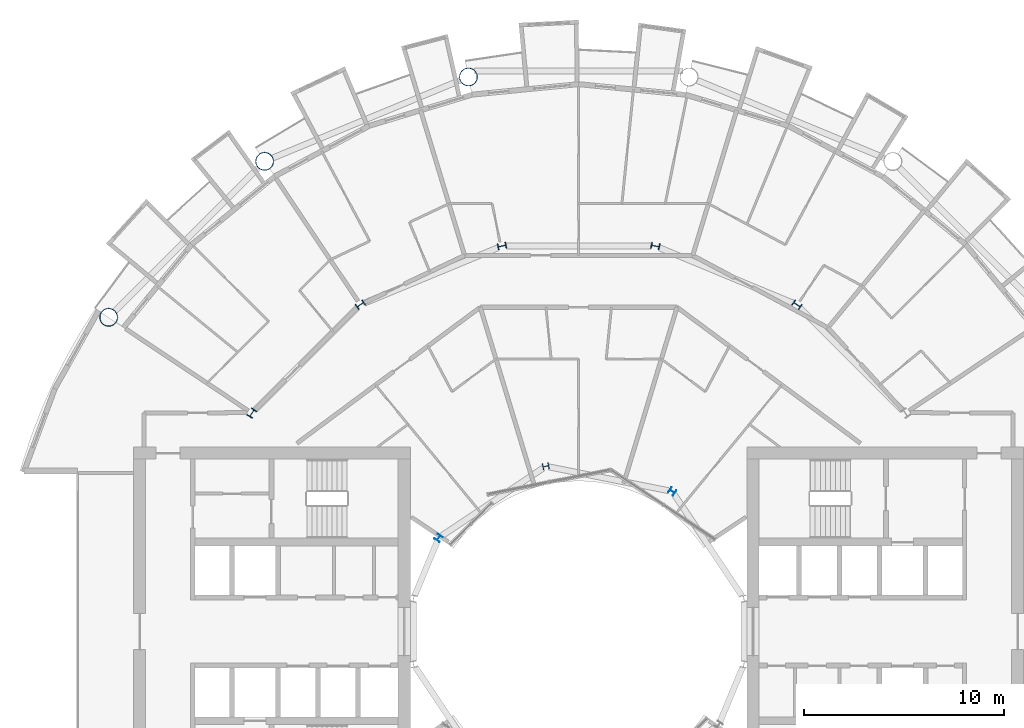
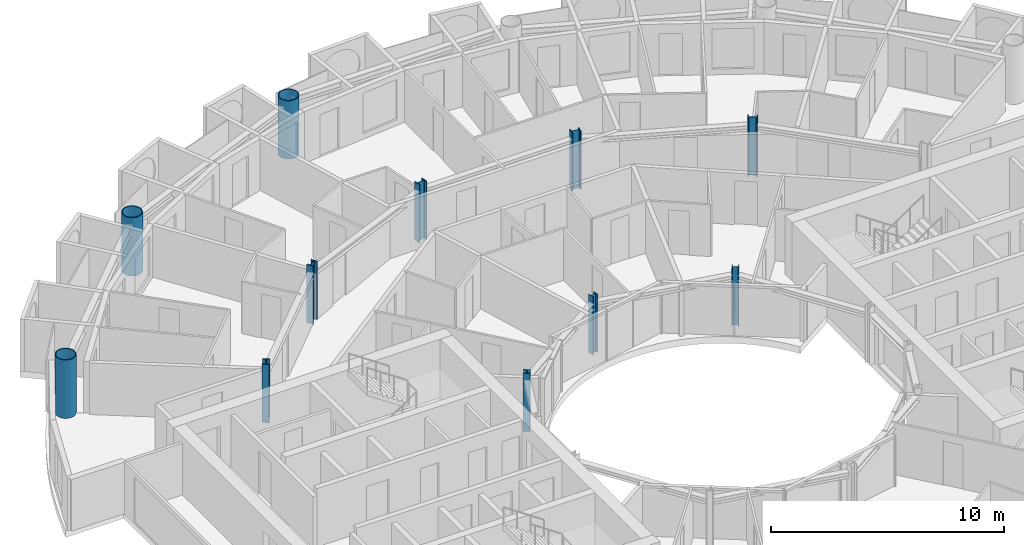
# One storey, part 3 of 27: 11 columns.
"""IFC4 building model written with IfcOpenShell, lengths in metres."""

import ifcopenshell
import ifcopenshell.guid

model = None  # the IFC model being written
_history = None  # IfcOwnerHistory: only IFC2X3 demands one
_inside = {}  # id of a spatial element -> (the spatial element, [elements in it])
_under = {}  # id of a project, library or spatial element -> (it, [spatial elements below it])
_declared = {}  # id of a project -> (the project, [libraries it declares])
_typed = {}  # id of a type object -> (the type object, [elements of that type])
_made_of = {}  # id of a material, layer set ... -> (it, [elements and type objects made of it])


def new_model(schema):
    """Start an empty IFC model of exactly this schema.

    Asked for "IFC4X3", IfcOpenShell would pick the latest addendum, in which some entities
    have other attributes; the version numbers below select the first issue.
    IFC2X3 requires an IfcOwnerHistory on every rooted entity: one is made here for all.
    """
    global model, _history
    if schema == "IFC4X3":
        model = ifcopenshell.file(schema_version=(4, 3, 0, 0))
    else:
        model = ifcopenshell.file(schema=schema)
    _inside.clear()
    _under.clear()
    _declared.clear()
    _typed.clear()
    _made_of.clear()
    _history = None
    if model.schema == "IFC2X3":
        org = make("IfcOrganization", Name="unknown")
        user = make(
            "IfcPersonAndOrganization",
            ThePerson=make("IfcPerson", FamilyName="unknown"),
            TheOrganization=org,
        )
        app = make(
            "IfcApplication",
            ApplicationDeveloper=org,
            Version="unknown",
            ApplicationFullName="unknown",
            ApplicationIdentifier="unknown",
        )
        _history = make(
            "IfcOwnerHistory",
            OwningUser=user,
            OwningApplication=app,
            ChangeAction="ADDED",
            CreationDate=0,
        )
    return model


def make(cls, **values):
    """One entity of the class cls with the attributes given. An attribute that is None is left unset."""
    return model.create_entity(
        cls, **{name: value for name, value in values.items() if value is not None}
    )


def rooted(cls, **values):
    """An entity with a GlobalId (a new one), such as an element, a storey or a relation."""
    return make(cls, GlobalId=ifcopenshell.guid.new(), OwnerHistory=_history, **values)


def si_unit(unit_type, name, prefix=None):
    """IfcSIUnit, for example si_unit("LENGTHUNIT", "METRE", prefix="MILLI")."""
    return make("IfcSIUnit", UnitType=unit_type, Prefix=prefix, Name=name)


def assignment(units):
    """IfcUnitAssignment: the units of a project."""
    return None if units is None else make("IfcUnitAssignment", Units=units)


def point(xyz):
    """IfcCartesianPoint."""
    return None if xyz is None else make("IfcCartesianPoint", Coordinates=xyz)


def direction(xyz):
    """IfcDirection."""
    return None if xyz is None else make("IfcDirection", DirectionRatios=xyz)


def frame(location, z_axis=None, x_axis=None):
    """IfcAxis2Placement3D, a coordinate frame: its origin and axes. An axis left out is left unset."""
    return make(
        "IfcAxis2Placement3D",
        Location=point(location),
        Axis=direction(z_axis),
        RefDirection=direction(x_axis),
    )


def frame_2d(location, x_axis=None):
    """IfcAxis2Placement2D, a coordinate frame in the plane: its origin and x axis."""
    return make(
        "IfcAxis2Placement2D", Location=point(location), RefDirection=direction(x_axis)
    )


def origin():
    """The frame at (0, 0, 0) with its axes left unset."""
    return frame((0.0, 0.0, 0.0))


def origin_2d():
    """The frame at (0, 0) in the plane with its x axis left unset."""
    return frame_2d((0.0, 0.0))


def place(relative_to, where):
    """IfcLocalPlacement: puts the frame where relative to a parent placement (None: the world)."""
    return make(
        "IfcLocalPlacement", PlacementRelTo=relative_to, RelativePlacement=where
    )


def context(
    kind, dimensions, precision=None, world=None, true_north=None, identifier=None
):
    """IfcGeometricRepresentationContext, for example the 3D "Model" context."""
    return make(
        "IfcGeometricRepresentationContext",
        ContextIdentifier=identifier,
        ContextType=kind,
        CoordinateSpaceDimension=dimensions,
        Precision=precision,
        WorldCoordinateSystem=world,
        TrueNorth=true_north,
    )


def subcontext(parent, identifier, kind, view, scale=None):
    """IfcGeometricRepresentationSubContext, for example "Body" below "Model"."""
    return make(
        "IfcGeometricRepresentationSubContext",
        ContextIdentifier=identifier,
        ContextType=kind,
        ParentContext=parent,
        TargetScale=scale,
        TargetView=view,
    )


def project(units=None, contexts=None):
    """IfcProject with its units and contexts."""
    return rooted(
        "IfcProject",
        Name="project",
        RepresentationContexts=contexts,
        UnitsInContext=assignment(units),
    )


def spatial(cls, under=None, at=None, **own):
    """A site, building, storey or space (cls), placed at a placement, below another one or the project."""
    s = rooted(cls, ObjectPlacement=at, **own)
    if under is not None:
        _under.setdefault(under.id(), (under, []))[1].append(s)
    return s


def profile(cls, at=None, kind="AREA", **sizes):
    """A parametric profile (cls). Its sizes go by their IFC names, for example OverallWidth=200.0."""
    return make(cls, ProfileType=kind, Position=at, **sizes)


def hollow_circle(**sizes):
    """IfcCircleHollowProfileDef."""
    return profile("IfcCircleHollowProfileDef", **sizes)


def i_section(**sizes):
    """IfcIShapeProfileDef."""
    return profile("IfcIShapeProfileDef", **sizes)


def extrude(swept, where, along, depth):
    """IfcExtrudedAreaSolid: the profile swept, set in the frame where, extruded along a direction by depth."""
    return make(
        "IfcExtrudedAreaSolid",
        SweptArea=swept,
        Position=where,
        ExtrudedDirection=direction(along),
        Depth=depth,
    )


def shape(context_of_items, identifier, shape_type, items):
    """IfcShapeRepresentation: the items that make up one representation, for example the "Body"."""
    return make(
        "IfcShapeRepresentation",
        ContextOfItems=context_of_items,
        RepresentationIdentifier=identifier,
        RepresentationType=shape_type,
        Items=items,
    )


def material(Name=None, Category=None):
    """IfcMaterial."""
    return make("IfcMaterial", Name=Name, Category=Category)


def material_profile(
    of_material, cross_section, Name=None, Category=None, Priority=None
):
    """IfcMaterialProfile: a cross section and its material."""
    return make(
        "IfcMaterialProfile",
        Name=Name,
        Material=of_material,
        Profile=cross_section,
        Priority=Priority,
        Category=Category,
    )


def profile_set(profiles, Name=None, composite=None):
    """IfcMaterialProfileSet."""
    return make(
        "IfcMaterialProfileSet",
        Name=Name,
        MaterialProfiles=profiles,
        CompositeProfile=composite,
    )


def made_of(thing, what):
    """Note that an element or type object is made of a material, layer set ...; save() writes the relation."""
    if what is not None:
        _made_of.setdefault(what.id(), (what, []))[1].append(thing)
    return thing


def type_object(cls, material=None, **own):
    """A type object (cls), such as IfcWallType, which elements share."""
    return made_of(rooted(cls, **own), material)


def element(
    cls,
    number,
    at=None,
    inside=None,
    cuts=None,
    type_object=None,
    material=None,
    context=None,
    identifier="Body",
    shape_type=None,
    held_by="IfcProductDefinitionShape",
    body=None,
    shapes=None,
    **own,
):
    """One element of the class cls, such as IfcWall. Its Tag is "e" and its number.

    at: its placement. inside: the storey or other place that contains it. cuts: it is an
    opening in that element (IfcRelVoidsElement). A single representation is given by context,
    identifier, shape_type and body (its items); several are given by shapes. held_by: the class
    of the entity that holds the representations. save() writes the other relations.
    """
    e = rooted(cls, Tag="e%d" % number, ObjectPlacement=at, **own)
    if body is not None:
        shapes = [shape(context, identifier, shape_type, body)]
    if shapes is not None:
        e.Representation = make(held_by, Representations=shapes)
    if inside is not None:
        _inside.setdefault(inside.id(), (inside, []))[1].append(e)
    if cuts is not None:
        rooted(
            "IfcRelVoidsElement", RelatingBuildingElement=cuts, RelatedOpeningElement=e
        )
    if type_object is not None:
        _typed.setdefault(type_object.id(), (type_object, []))[1].append(e)
    return made_of(e, material)


def aggregate(whole, parts):
    """IfcRelAggregates: a whole, such as a stair, and the parts it consists of."""
    return rooted("IfcRelAggregates", RelatingObject=whole, RelatedObjects=parts)


def save(model, path):
    """Write the relations noted so far, then the file.

    IfcRelAggregates (storeys below a building ...), IfcRelContainedInSpatialStructure (elements
    in a storey), IfcRelDefinesByType, IfcRelAssociatesMaterial and IfcRelDeclares: one each for
    every whole, place, type object, material and project.
    """
    for whole, parts in _under.values():
        aggregate(whole, parts)
    for where, things in _inside.values():
        rooted(
            "IfcRelContainedInSpatialStructure",
            RelatedElements=things,
            RelatingStructure=where,
        )
    for kind, things in _typed.values():
        rooted("IfcRelDefinesByType", RelatedObjects=things, RelatingType=kind)
    for what, things in _made_of.values():
        rooted("IfcRelAssociatesMaterial", RelatedObjects=things, RelatingMaterial=what)
    for by, libraries in _declared.values():
        rooted("IfcRelDeclares", RelatingContext=by, RelatedDefinitions=libraries)
    model.write(path)


model = new_model("IFC4")

# Units and contexts
model_context = context("Model", 3, precision=1e-05, world=origin(), true_north=direction((0.0, 1.0)))
body_context = subcontext(model_context, "Body", "Model", "MODEL_VIEW")
ifc_project = project(units=[si_unit("LENGTHUNIT", "METRE"), si_unit("AREAUNIT", "SQUARE_METRE"), si_unit("VOLUMEUNIT", "CUBIC_METRE"), si_unit("PLANEANGLEUNIT", "RADIAN"), si_unit("MASSUNIT", "GRAM", prefix="KILO")], contexts=[model_context])

# Site, building, storey
site_placement = place(None, origin())
site = spatial("IfcSite", under=ifc_project, at=site_placement, CompositionType="ELEMENT")
building_placement = place(site_placement, origin())
building = spatial("IfcBuilding", under=site, at=building_placement, Name="Maasbend Ring Residences", CompositionType="ELEMENT")
storey_placement = place(building_placement, frame((0.0, 0.0, 117.75)))
storey = spatial("IfcBuildingStorey", under=building, at=storey_placement, Name="L33", CompositionType="ELEMENT", Elevation=117.75)

# Columns
ifc_material_1 = material(Name="Composite concrete-filled steel tube S460NH / C80/95", Category="concrete")
ifc_material_profile_1 = material_profile(ifc_material_1, hollow_circle(Radius=0.45703125, WallThickness=0.0400390625, at=origin_2d()), Name="Composite tube column CHS 914x40")
ifc_profile_set_1 = profile_set([ifc_material_profile_1], Name="Composite concrete-filled steel tube S460NH / C80/95")
column_type_1 = type_object("IfcColumnType", Name="Composite tube column CHS 914x40", PredefinedType="COLUMN", material=ifc_profile_set_1)
for number, where, z_axis, x_axis, name in (
    (1, (-5.50146484375, 27.658203125, 0.0), (0.0, 0.0, 1.0), (1.0, 0.0, 0.0), "Outer column R5"),
    (2, (-15.6669921875, 23.447509765625, 0.0), (0.0, 0.0, 1.0), (1.0, 0.0, 0.0), "Outer column R6"),
    (3, (-23.447509765625, 15.6669921875, 0.0), (0.0, 0.0, 1.0), (1.0, 0.0, 0.0), "Outer column R7"),
):
    element("IfcColumn", number, at=place(storey_placement, frame(where, z_axis=z_axis, x_axis=x_axis)), inside=storey, type_object=column_type_1, Name=name, PredefinedType="COLUMN", context=body_context, shape_type="SweptSolid", body=[
        extrude(hollow_circle(Radius=0.45703125, WallThickness=0.0400390625, at=origin_2d()), origin(), (0.0, 0.0, 1.0), 3.050048828125),
    ])
ifc_material_2 = material(Name="Steel S355J2", Category="steel")
ifc_material_profile_2 = material_profile(ifc_material_2, i_section(OverallWidth=0.300048828125, OverallDepth=0.300048828125, WebThickness=0.010986328125, FlangeThickness=0.01904296875, FilletRadius=0.027099609375, at=origin_2d()), Name="HEB 300")
ifc_profile_set_2 = profile_set([ifc_material_profile_2], Name="Steel S355J2")
column_type_2 = type_object("IfcColumnType", Name="Steel column HEB 300", PredefinedType="COLUMN", material=ifc_profile_set_2)
for number, where, z_axis, x_axis, name in (
    (4, (4.666748046875, 6.984375, 0.0), (0.0, 0.0, 1.0), (0.55557023302, 0.831469612303, 0.0), "Well ring column R3"),
    (5, (-1.638916015625, 8.238525390625, 0.0), (0.0, 0.0, 1.0), (-0.195090322016, 0.980785280403, 0.0), "Well ring column R5"),
    (6, (-6.984375, 4.666748046875, 0.0), (0.0, 0.0, 1.0), (-0.831469612303, 0.55557023302, 0.0), "Well ring column R7"),
):
    element("IfcColumn", number, at=place(storey_placement, frame(where, z_axis=z_axis, x_axis=x_axis)), inside=storey, type_object=column_type_2, Name=name, PredefinedType="COLUMN", context=body_context, shape_type="SweptSolid", body=[
        extrude(i_section(OverallWidth=0.300048828125, OverallDepth=0.300048828125, WebThickness=0.010986328125, FlangeThickness=0.01904296875, FilletRadius=0.027099609375, at=origin_2d()), origin(), (0.0, 0.0, 1.0), 3.050048828125),
    ])
ifc_material_3 = material(Name="Steel S460M", Category="steel")
ifc_material_profile_3 = material_profile(ifc_material_3, i_section(OverallWidth=0.306884765625, OverallDepth=0.431884765625, WebThickness=0.02099609375, FlangeThickness=0.0400390625, FilletRadius=0.027099609375, at=origin_2d()), Name="HEM 400")
ifc_profile_set_3 = profile_set([ifc_material_profile_3], Name="Steel S460M")
column_type_3 = type_object("IfcColumnType", Name="Steel column HEM 400", PredefinedType="COLUMN", material=ifc_profile_set_3)
for number, where, z_axis, x_axis, name in (
    (7, (10.88916015625, 16.296875, 0.0), (0.0, 0.0, 1.0), (0.55557023302, 0.831469612303, 0.0), "Corridor ring column R3"),
    (8, (3.82373046875, 19.223388671875, 0.0), (0.0, 0.0, 1.0), (0.195090322016, 0.980785280403, 0.0), "Corridor ring column R4"),
    (9, (-3.82373046875, 19.223388671875, 0.0), (0.0, 0.0, 1.0), (-0.195090322016, 0.980785280403, 0.0), "Corridor ring column R5"),
    (10, (-10.88916015625, 16.296875, 0.0), (0.0, 0.0, 1.0), (-0.55557023302, 0.831469612303, 0.0), "Corridor ring column R6"),
    (11, (-16.296875, 10.88916015625, 0.0), (0.0, 0.0, 1.0), (-0.831469612303, 0.55557023302, 0.0), "Corridor ring column R7"),
):
    element("IfcColumn", number, at=place(storey_placement, frame(where, z_axis=z_axis, x_axis=x_axis)), inside=storey, type_object=column_type_3, Name=name, PredefinedType="COLUMN", context=body_context, shape_type="SweptSolid", body=[
        extrude(i_section(OverallWidth=0.306884765625, OverallDepth=0.431884765625, WebThickness=0.02099609375, FlangeThickness=0.0400390625, FilletRadius=0.027099609375, at=origin_2d()), origin(), (0.0, 0.0, 1.0), 3.050048828125),
    ])

save(model, "model.ifc")
